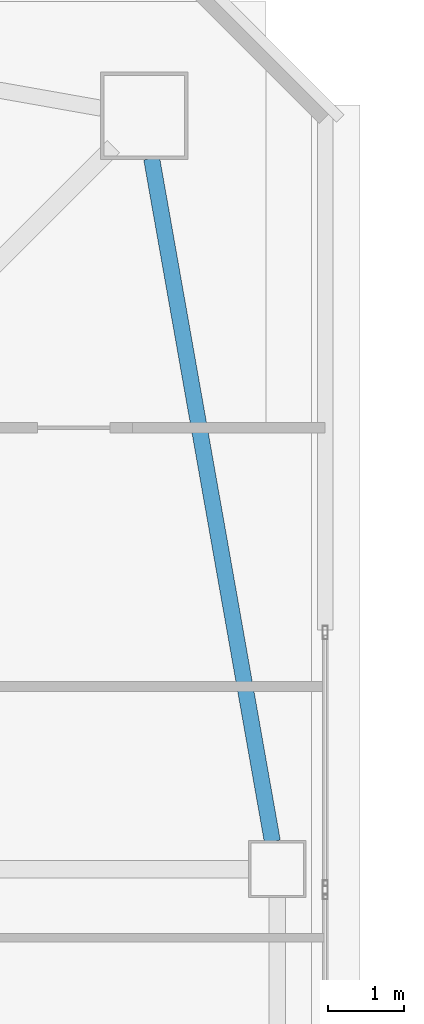
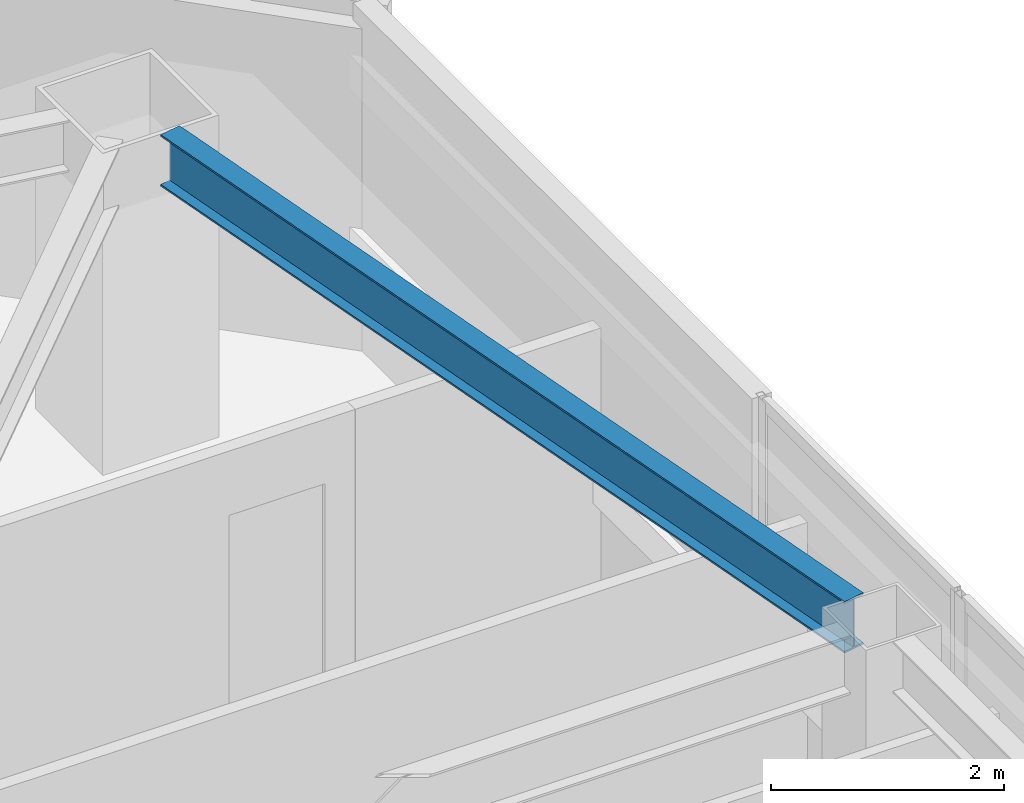
# One storey, part 16 of 42: 1 beam.
"""IFC4 building model written with IfcOpenShell, lengths in metres."""

from ifc_helpers import new_model, si_unit, direction, frame, origin, origin_2d, place, context, subcontext, project, spatial, i_section, extrude, material, material_profile, profile_set, type_object, element, save


model = new_model("IFC4")

# Units and contexts
model_context = context("Model", 3, precision=1e-05, world=origin(), true_north=direction((0.0, 1.0)))
body_context = subcontext(model_context, "Body", "Model", "MODEL_VIEW")
ifc_project = project(units=[si_unit("LENGTHUNIT", "METRE"), si_unit("AREAUNIT", "SQUARE_METRE"), si_unit("VOLUMEUNIT", "CUBIC_METRE"), si_unit("PLANEANGLEUNIT", "RADIAN"), si_unit("MASSUNIT", "GRAM", prefix="KILO")], contexts=[model_context])

# Site, building, storey
site_placement = place(None, origin())
site = spatial("IfcSite", under=ifc_project, at=site_placement, CompositionType="ELEMENT")
building_placement = place(site_placement, origin())
building = spatial("IfcBuilding", under=site, at=building_placement, Name="Tashvorn Skyway Center", CompositionType="ELEMENT")
storey_placement = place(building_placement, frame((0.0, 0.0, 164.10009765625)))
storey = spatial("IfcBuildingStorey", under=building, at=storey_placement, Name="L44", CompositionType="ELEMENT", Elevation=164.10009765625)

# Beam
ifc_material = material(Name="Steel ASTM A992 Grade 50", Category="steel")
ifc_material_profile = material_profile(ifc_material, i_section(OverallWidth=0.2109375, OverallDepth=0.5390625, WebThickness=0.01171875, FlangeThickness=0.018798828125, at=origin_2d()), Name="W21X73")
ifc_profile_set = profile_set([ifc_material_profile], Name="Steel ASTM A992 Grade 50")
beam_type = type_object("IfcBeamType", Name="BM-SPANDREL-W21X73", PredefinedType="SPANDREL", material=ifc_profile_set)
beam_placement = place(storey_placement, frame((58.985595703125, 37.764404296875, 3.100341796875), z_axis=(-0.174074160933, 0.984732545667, 0.0), x_axis=(-0.984732545667, -0.174074160933, 0.0)))
element("IfcBeam", 1, at=beam_placement, inside=storey, type_object=beam_type, Name="Tower 1 L44 Spandrel Beam 06", PredefinedType="SPANDREL", context=body_context, shape_type="SweptSolid", body=[
    extrude(i_section(OverallWidth=0.2109375, OverallDepth=0.5390625, WebThickness=0.01171875, FlangeThickness=0.018798828125, at=origin_2d()), origin(), (0.0, 0.0, 1.0), 9.113525390625),
])

save(model, "model.ifc")
